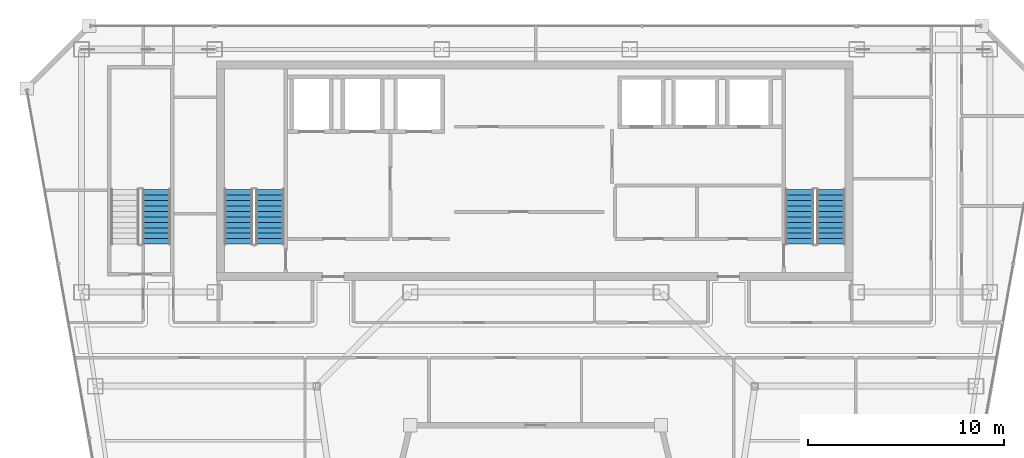
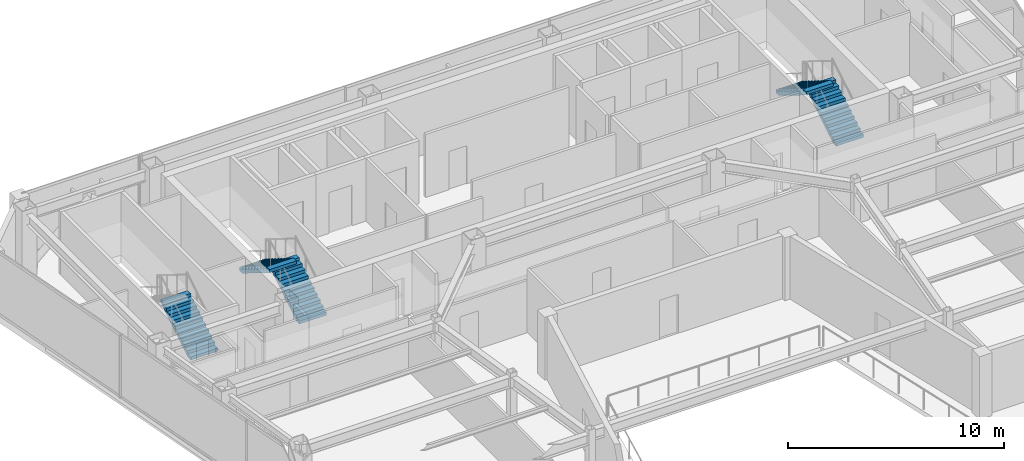
# One storey, part 23 of 28: 5 stair flights, 3 elements without a shape of their own.
"""IFC4 building model written with IfcOpenShell, lengths in metres."""

from ifc_helpers import new_model, si_unit, direction, frame, origin, place, context, subcontext, project, spatial, polyline, outline, extrude, material, type_object, element, aggregate, save


model = new_model("IFC4")

# Units and contexts
model_context = context("Model", 3, precision=1e-05, world=origin(), true_north=direction((0.0, 1.0)))
body_context = subcontext(model_context, "Body", "Model", "MODEL_VIEW")
ifc_project = project(units=[si_unit("LENGTHUNIT", "METRE"), si_unit("AREAUNIT", "SQUARE_METRE"), si_unit("VOLUMEUNIT", "CUBIC_METRE"), si_unit("PLANEANGLEUNIT", "RADIAN"), si_unit("MASSUNIT", "GRAM", prefix="KILO")], contexts=[model_context])

# Site, building, storey
site_placement = place(None, origin())
site = spatial("IfcSite", under=ifc_project, at=site_placement, CompositionType="ELEMENT")
building_placement = place(site_placement, origin())
building = spatial("IfcBuilding", under=site, at=building_placement, Name="Saevonmaru Cultural Tower", CompositionType="ELEMENT")
storey_placement = place(building_placement, frame((0.0, 0.0, 253.39990234375)))
storey = spatial("IfcBuildingStorey", under=building, at=storey_placement, Name="L59", CompositionType="ELEMENT", Elevation=253.39990234375)

# Stair, stair flights
ifc_material_1 = material(Name="Concrete C40/50", Category="concrete")
stair_type = type_object("IfcStairType", Name="STR-DOGLEG-RC", PredefinedType="HALF_TURN_STAIR", material=ifc_material_1)
stair_1_placement = place(storey_placement, origin())
stair_1 = element("IfcStair", 1, at=stair_1_placement, inside=storey, type_object=stair_type, Name="L59 Protected exit stair ST-1", PredefinedType="HALF_TURN_STAIR")
ifc_material_2 = material(Name="Precast concrete C40/50", Category="concrete")
stair_flight_type = type_object("IfcStairFlightType", Name="STF-PRECAST-180", PredefinedType="STRAIGHT", material=ifc_material_2)
stair_flight_1_placement = place(storey_placement, frame((16.425048828125, 44.85009765625, 0.0), z_axis=(0.0, 0.0, 1.0), x_axis=(0.0, 1.0, 0.0)))
stair_flight_1 = element("IfcStairFlight", 2, at=stair_flight_1_placement, type_object=stair_flight_type, Name="ST-1-L59 flight 1", NumberOfRisers=11, NumberOfTreads=10, PredefinedType="STRAIGHT", RiserHeight=0.172727273, TreadLength=0.28, context=body_context, shape_type="SweptSolid", body=[
    extrude(outline(polyline([(0.0, 0.0), (0.0, 0.172607421875), (0.280029296875, 0.172607421875), (0.280029296875, 0.345458984375), (0.56005859375, 0.345458984375), (0.56005859375, 0.51806640625), (0.840087890625, 0.51806640625), (0.840087890625, 0.69091796875), (1.1201171875, 0.69091796875), (1.1201171875, 0.863525390625), (1.39990234375, 0.863525390625), (1.39990234375, 1.036376953125), (1.679931640625, 1.036376953125), (1.679931640625, 1.208984375), (1.9599609375, 1.208984375), (1.9599609375, 1.3818359375), (2.239990234375, 1.3818359375), (2.239990234375, 1.554443359375), (2.52001953125, 1.554443359375), (2.52001953125, 1.727294921875), (2.800048828125, 1.727294921875), (2.800048828125, 1.89990234375), (2.800048828125, 1.551025390625), (0.285400390625, 0.0), (0.0, 0.0)])), frame((0.0, 0.72509765625, 0.0), z_axis=(0.0, -1.0, 0.0), x_axis=(1.0, 0.0, 0.0)), (0.0, 0.0, 1.0), 1.449951171875),
])
stair_flight_2_placement = place(storey_placement, frame((14.824951171875, 47.64990234375, 1.900146484375), z_axis=(0.0, 0.0, 1.0), x_axis=(0.0, -1.0, 0.0)))
stair_flight_2 = element("IfcStairFlight", 3, at=stair_flight_2_placement, type_object=stair_flight_type, Name="ST-1-L59 flight 2", NumberOfRisers=11, NumberOfTreads=10, PredefinedType="STRAIGHT", RiserHeight=0.172727273, TreadLength=0.28, context=body_context, shape_type="SweptSolid", body=[
    extrude(outline(polyline([(0.0, 0.0), (0.0, 0.172607421875), (0.280029296875, 0.172607421875), (0.280029296875, 0.345458984375), (0.56005859375, 0.345458984375), (0.56005859375, 0.51806640625), (0.840087890625, 0.51806640625), (0.840087890625, 0.69091796875), (1.1201171875, 0.69091796875), (1.1201171875, 0.863525390625), (1.39990234375, 0.863525390625), (1.39990234375, 1.036376953125), (1.679931640625, 1.036376953125), (1.679931640625, 1.208984375), (1.9599609375, 1.208984375), (1.9599609375, 1.3818359375), (2.239990234375, 1.3818359375), (2.239990234375, 1.554443359375), (2.52001953125, 1.554443359375), (2.52001953125, 1.727294921875), (2.800048828125, 1.727294921875), (2.800048828125, 1.89990234375), (2.800048828125, 1.551025390625), (0.285400390625, 0.0), (0.0, 0.0)])), frame((0.0, 0.72509765625, 0.0), z_axis=(0.0, -1.0, 0.0), x_axis=(1.0, 0.0, 0.0)), (0.0, 0.0, 1.0), 1.449951171875),
])
aggregate(stair_1, [stair_flight_1, stair_flight_2])

stair_2_placement = place(storey_placement, origin())
stair_2 = element("IfcStair", 4, at=stair_2_placement, inside=storey, type_object=stair_type, Name="L59 Protected exit stair ST-2", PredefinedType="HALF_TURN_STAIR")
stair_flight_3_placement = place(storey_placement, frame((45.074951171875, 44.85009765625, 0.0), z_axis=(0.0, 0.0, 1.0), x_axis=(0.0, 1.0, 0.0)))
stair_flight_3 = element("IfcStairFlight", 5, at=stair_flight_3_placement, type_object=stair_flight_type, Name="ST-2-L59 flight 1", NumberOfRisers=11, NumberOfTreads=10, PredefinedType="STRAIGHT", RiserHeight=0.172727273, TreadLength=0.28, context=body_context, shape_type="SweptSolid", body=[
    extrude(outline(polyline([(0.0, 0.0), (0.0, 0.172607421875), (0.280029296875, 0.172607421875), (0.280029296875, 0.345458984375), (0.56005859375, 0.345458984375), (0.56005859375, 0.51806640625), (0.840087890625, 0.51806640625), (0.840087890625, 0.69091796875), (1.1201171875, 0.69091796875), (1.1201171875, 0.863525390625), (1.39990234375, 0.863525390625), (1.39990234375, 1.036376953125), (1.679931640625, 1.036376953125), (1.679931640625, 1.208984375), (1.9599609375, 1.208984375), (1.9599609375, 1.3818359375), (2.239990234375, 1.3818359375), (2.239990234375, 1.554443359375), (2.52001953125, 1.554443359375), (2.52001953125, 1.727294921875), (2.800048828125, 1.727294921875), (2.800048828125, 1.89990234375), (2.800048828125, 1.551025390625), (0.285400390625, 0.0), (0.0, 0.0)])), frame((0.0, 0.72509765625, 0.0), z_axis=(0.0, -1.0, 0.0), x_axis=(1.0, 0.0, 0.0)), (0.0, 0.0, 1.0), 1.449951171875),
])
stair_flight_4_placement = place(storey_placement, frame((43.47509765625, 47.64990234375, 1.900146484375), z_axis=(0.0, 0.0, 1.0), x_axis=(0.0, -1.0, 0.0)))
stair_flight_4 = element("IfcStairFlight", 6, at=stair_flight_4_placement, type_object=stair_flight_type, Name="ST-2-L59 flight 2", NumberOfRisers=11, NumberOfTreads=10, PredefinedType="STRAIGHT", RiserHeight=0.172727273, TreadLength=0.28, context=body_context, shape_type="SweptSolid", body=[
    extrude(outline(polyline([(0.0, 0.0), (0.0, 0.172607421875), (0.280029296875, 0.172607421875), (0.280029296875, 0.345458984375), (0.56005859375, 0.345458984375), (0.56005859375, 0.51806640625), (0.840087890625, 0.51806640625), (0.840087890625, 0.69091796875), (1.1201171875, 0.69091796875), (1.1201171875, 0.863525390625), (1.39990234375, 0.863525390625), (1.39990234375, 1.036376953125), (1.679931640625, 1.036376953125), (1.679931640625, 1.208984375), (1.9599609375, 1.208984375), (1.9599609375, 1.3818359375), (2.239990234375, 1.3818359375), (2.239990234375, 1.554443359375), (2.52001953125, 1.554443359375), (2.52001953125, 1.727294921875), (2.800048828125, 1.727294921875), (2.800048828125, 1.89990234375), (2.800048828125, 1.551025390625), (0.285400390625, 0.0), (0.0, 0.0)])), frame((0.0, 0.72509765625, 0.0), z_axis=(0.0, -1.0, 0.0), x_axis=(1.0, 0.0, 0.0)), (0.0, 0.0, 1.0), 1.449951171875),
])
aggregate(stair_2, [stair_flight_3, stair_flight_4])

# Stair, stair flight
stair_3_placement = place(storey_placement, origin())
stair_3 = element("IfcStair", 7, at=stair_3_placement, inside=storey, type_object=stair_type, Name="L59 Protected exit stair ST-3", PredefinedType="HALF_TURN_STAIR")
stair_flight_5_placement = place(storey_placement, frame((10.625, 44.85009765625, 0.0), z_axis=(0.0, 0.0, 1.0), x_axis=(0.0, 1.0, 0.0)))
stair_flight_5 = element("IfcStairFlight", 8, at=stair_flight_5_placement, type_object=stair_flight_type, Name="ST-3-L59 flight 1", NumberOfRisers=11, NumberOfTreads=10, PredefinedType="STRAIGHT", RiserHeight=0.172727273, TreadLength=0.28, context=body_context, shape_type="SweptSolid", body=[
    extrude(outline(polyline([(0.0, 0.0), (0.0, 0.172607421875), (0.280029296875, 0.172607421875), (0.280029296875, 0.345458984375), (0.56005859375, 0.345458984375), (0.56005859375, 0.51806640625), (0.840087890625, 0.51806640625), (0.840087890625, 0.69091796875), (1.1201171875, 0.69091796875), (1.1201171875, 0.863525390625), (1.39990234375, 0.863525390625), (1.39990234375, 1.036376953125), (1.679931640625, 1.036376953125), (1.679931640625, 1.208984375), (1.9599609375, 1.208984375), (1.9599609375, 1.3818359375), (2.239990234375, 1.3818359375), (2.239990234375, 1.554443359375), (2.52001953125, 1.554443359375), (2.52001953125, 1.727294921875), (2.800048828125, 1.727294921875), (2.800048828125, 1.89990234375), (2.800048828125, 1.551025390625), (0.285400390625, 0.0), (0.0, 0.0)])), frame((0.0, 0.72509765625, 0.0), z_axis=(0.0, -1.0, 0.0), x_axis=(1.0, 0.0, 0.0)), (0.0, 0.0, 1.0), 1.449951171875),
])
aggregate(stair_3, [stair_flight_5])

save(model, "model.ifc")
